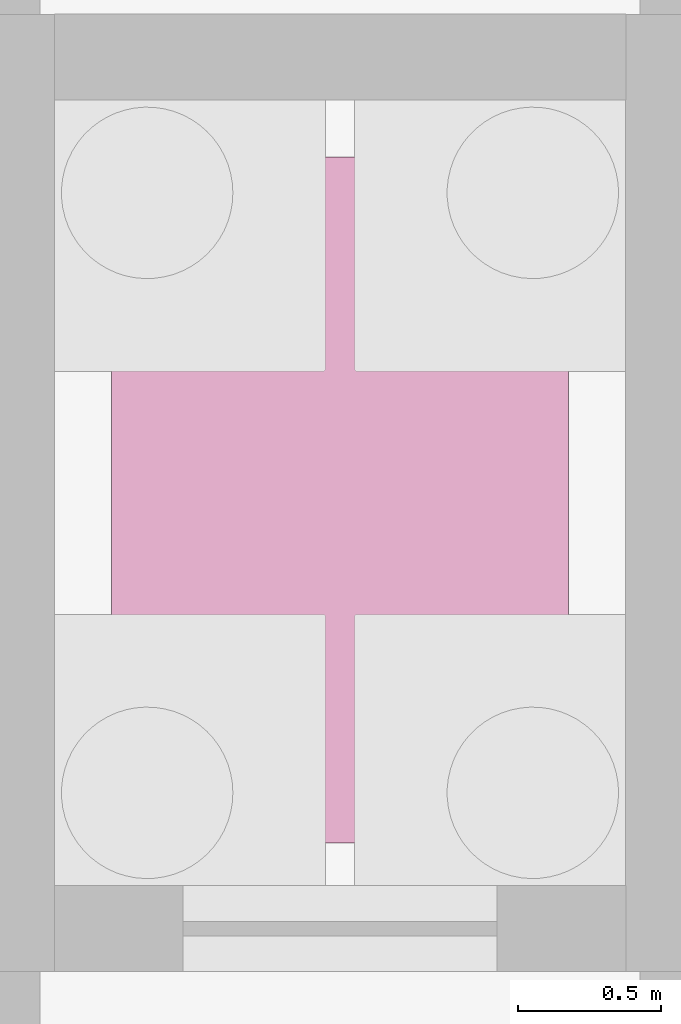
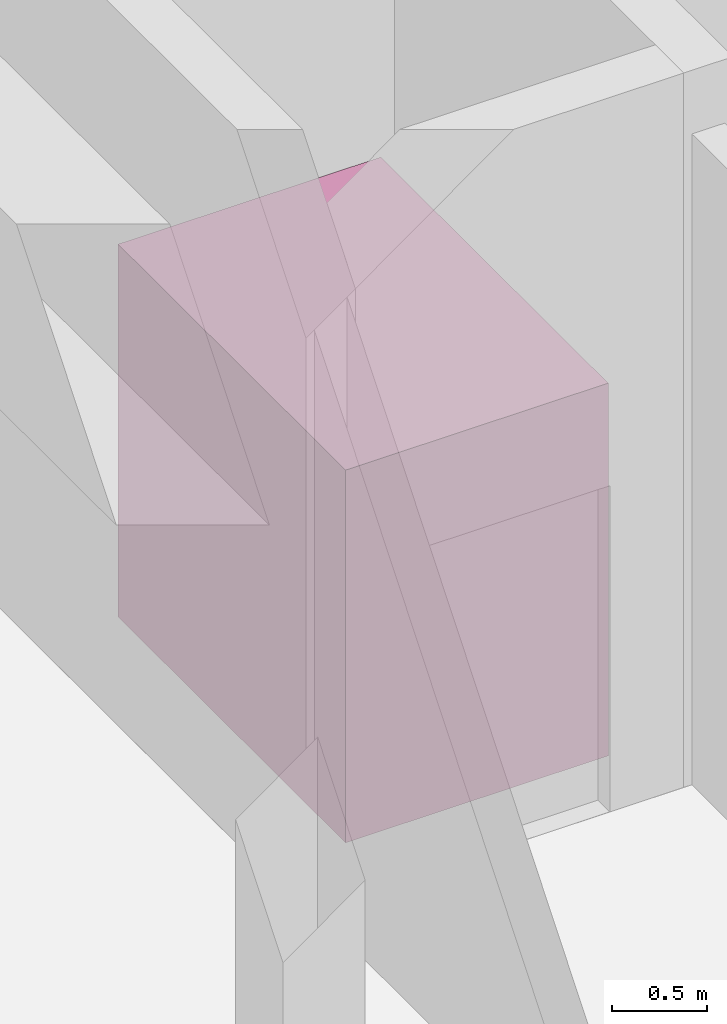
# One storey, part 33 of 33: 1 transport element.
"""IFC4 building model written with IfcOpenShell, lengths in metres."""

from ifc_helpers import new_model, si_unit, direction, frame, origin, origin_2d, place, context, subcontext, project, spatial, rectangle, extrude, material, type_object, element, save


model = new_model("IFC4")

# Units and contexts
model_context = context("Model", 3, precision=1e-05, world=origin(), true_north=direction((0.0, 1.0)))
body_context = subcontext(model_context, "Body", "Model", "MODEL_VIEW")
ifc_project = project(units=[si_unit("LENGTHUNIT", "METRE"), si_unit("AREAUNIT", "SQUARE_METRE"), si_unit("VOLUMEUNIT", "CUBIC_METRE"), si_unit("PLANEANGLEUNIT", "RADIAN"), si_unit("MASSUNIT", "GRAM", prefix="KILO")], contexts=[model_context])

# Site, building, storey
site_placement = place(None, origin())
site = spatial("IfcSite", under=ifc_project, at=site_placement, CompositionType="ELEMENT")
building_placement = place(site_placement, origin())
building = spatial("IfcBuilding", under=site, at=building_placement, Name="Ljudholm Concert House", CompositionType="ELEMENT")
storey_placement = place(building_placement, frame((0.0, 0.0, -4.60009765625)))
storey = spatial("IfcBuildingStorey", under=building, at=storey_placement, Name="B1", CompositionType="ELEMENT", Elevation=-4.60009765625)

# Transport element
ifc_material = material(Name="Stainless steel lift car", Category="steel")
transport_element_type = type_object("IfcTransportElementType", Name="LIFT CAR 1600x2400", PredefinedType="ELEVATOR", material=ifc_material)
transport_element_placement = place(storey_placement, frame((48.10009765625, 141.375, 0.000244140625), z_axis=(0.0, 0.0, 1.0), x_axis=(1.0, 0.0, 0.0)))
element("IfcTransportElement", 1, at=transport_element_placement, inside=storey, type_object=transport_element_type, Name="Basement lift LB1", PredefinedType="ELEVATOR", context=body_context, shape_type="SweptSolid", body=[
    extrude(rectangle(XDim=1.60009765625, YDim=2.39990234375, at=origin_2d()), origin(), (0.0, 0.0, 1.0), 2.39990234375),
])

save(model, "model.ifc")
